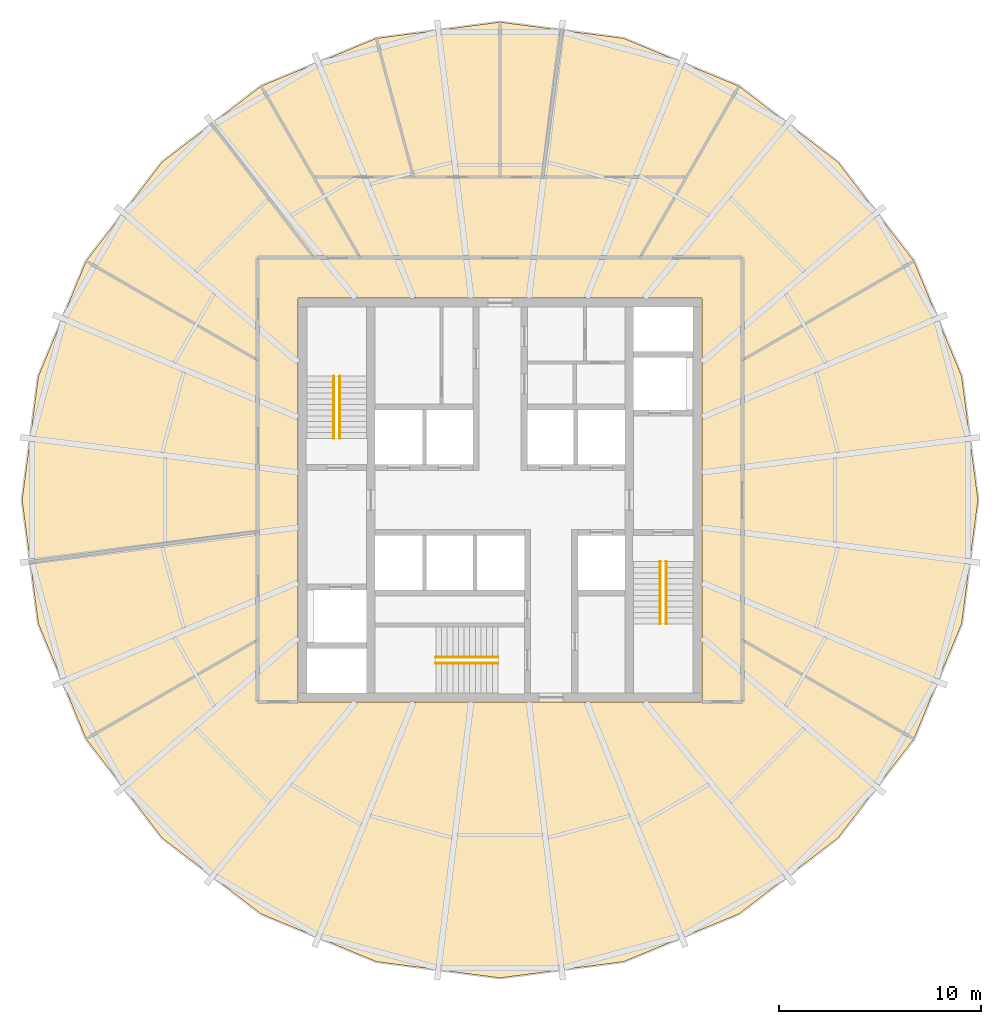
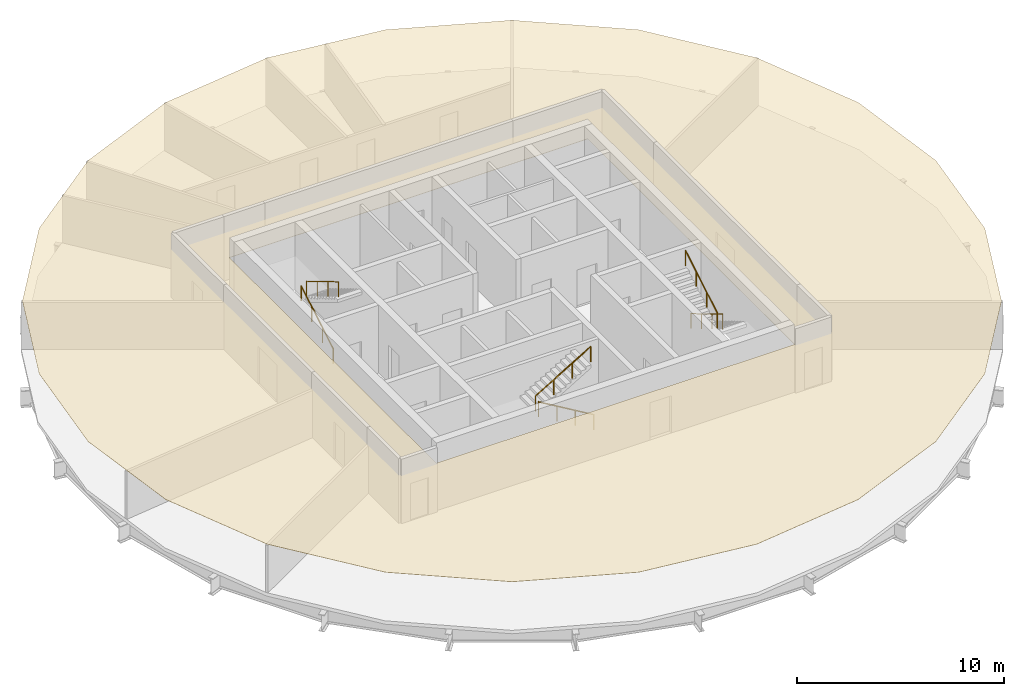
# One storey, part 5 of 5: 6 railings, 1 covering.
"""IFC4 building model written with IfcOpenShell, lengths in metres."""

from ifc_helpers import new_model, si_unit, direction, frame, origin, origin_2d, place, context, subcontext, project, spatial, polyline, circle, outline, extrude, material, layer, layer_set, type_object, element, save


model = new_model("IFC4")

# Units and contexts
model_context = context("Model", 3, precision=1e-05, world=origin(), true_north=direction((0.0, 1.0)))
body_context = subcontext(model_context, "Body", "Model", "MODEL_VIEW")
ifc_project = project(units=[si_unit("LENGTHUNIT", "METRE"), si_unit("AREAUNIT", "SQUARE_METRE"), si_unit("VOLUMEUNIT", "CUBIC_METRE"), si_unit("PLANEANGLEUNIT", "RADIAN"), si_unit("MASSUNIT", "GRAM", prefix="KILO")], contexts=[model_context])

# Site, building, storey
site_placement = place(None, origin())
site = spatial("IfcSite", under=ifc_project, at=site_placement, CompositionType="ELEMENT")
building_placement = place(site_placement, origin())
building = spatial("IfcBuilding", under=site, at=building_placement, Name="Golbaran Civic Tower", CompositionType="ELEMENT")
storey_placement = place(building_placement, frame((0.0, 0.0, 191.0)))
storey = spatial("IfcBuildingStorey", under=building, at=storey_placement, Name="L46", CompositionType="ELEMENT", Elevation=191.0)

# Railings
ifc_material_1 = material(Name="Stainless steel", Category="steel")
railing_type = type_object("IfcRailingType", Name="STAIR HANDRAIL 900", PredefinedType="HANDRAIL", material=ifc_material_1)
railing_1_placement = place(storey_placement, frame((-8.22509765625, 3.050048828125, 0.166748046875)))
element("IfcRailing", 1, at=railing_1_placement, inside=storey, type_object=railing_type, Name="Stair S1 handrail flight 1 L46", PredefinedType="HANDRAIL", context=body_context, shape_type="SweptSolid", body=[
    extrude(circle(Radius=0.02392578125, at=origin_2d()), frame((0.0, 0.0, 0.8759765625), z_axis=(0.0, 0.859290745958, 0.51148745235), x_axis=(-1.0, 0.0, 0.0)), (0.0, 0.0, 1.0), 3.584228515625),
    extrude(circle(Radius=0.02099609375, at=origin_2d()), origin(), (0.0, 0.0, 1.0), 0.851806640625),
    extrude(circle(Radius=0.02099609375, at=origin_2d()), frame((0.0, 1.026611328125, 0.611083984375)), (0.0, 0.0, 1.0), 0.851806640625),
    extrude(circle(Radius=0.02099609375, at=origin_2d()), frame((0.0, 2.05322265625, 1.22216796875)), (0.0, 0.0, 1.0), 0.851806640625),
    extrude(circle(Radius=0.02099609375, at=origin_2d()), frame((0.0, 3.079833984375, 1.833251953125)), (0.0, 0.0, 1.0), 0.851806640625),
])
for number, where, name in (
    (2, (-7.925048828125, 6.1298828125, 2.166748046875), "Stair S1 handrail flight 2 L46"),
    (3, (8.22509765625, -3.050048828125, 0.166748046875), "Stair S2 handrail flight 1 L46"),
):
    element("IfcRailing", number, at=place(storey_placement, frame(where)), inside=storey, type_object=railing_type, Name=name, PredefinedType="HANDRAIL", context=body_context, shape_type="SweptSolid", body=[
        extrude(circle(Radius=0.02392578125, at=origin_2d()), frame((0.0, 0.0, 0.8759765625), z_axis=(0.0, -0.859290745958, 0.51148745235), x_axis=(1.0, 0.0, 0.0)), (0.0, 0.0, 1.0), 3.584228515625),
        extrude(circle(Radius=0.02099609375, at=origin_2d()), origin(), (0.0, 0.0, 1.0), 0.851806640625),
        extrude(circle(Radius=0.02099609375, at=origin_2d()), frame((0.0, -1.026611328125, 0.611083984375)), (0.0, 0.0, 1.0), 0.851806640625),
        extrude(circle(Radius=0.02099609375, at=origin_2d()), frame((0.0, -2.05322265625, 1.22216796875)), (0.0, 0.0, 1.0), 0.851806640625),
        extrude(circle(Radius=0.02099609375, at=origin_2d()), frame((0.0, -3.079833984375, 1.833251953125)), (0.0, 0.0, 1.0), 0.851806640625),
    ])
railing_2_placement = place(storey_placement, frame((7.925048828125, -6.1298828125, 2.166748046875)))
element("IfcRailing", 4, at=railing_2_placement, inside=storey, type_object=railing_type, Name="Stair S2 handrail flight 2 L46", PredefinedType="HANDRAIL", context=body_context, shape_type="SweptSolid", body=[
    extrude(circle(Radius=0.02392578125, at=origin_2d()), frame((0.0, 0.0, 0.8759765625), z_axis=(0.0, 0.859290745958, 0.51148745235), x_axis=(-1.0, 0.0, 0.0)), (0.0, 0.0, 1.0), 3.584228515625),
    extrude(circle(Radius=0.02099609375, at=origin_2d()), origin(), (0.0, 0.0, 1.0), 0.851806640625),
    extrude(circle(Radius=0.02099609375, at=origin_2d()), frame((0.0, 1.026611328125, 0.611083984375)), (0.0, 0.0, 1.0), 0.851806640625),
    extrude(circle(Radius=0.02099609375, at=origin_2d()), frame((0.0, 2.05322265625, 1.22216796875)), (0.0, 0.0, 1.0), 0.851806640625),
    extrude(circle(Radius=0.02099609375, at=origin_2d()), frame((0.0, 3.079833984375, 1.833251953125)), (0.0, 0.0, 1.0), 0.851806640625),
])
railing_3_placement = place(storey_placement, frame((-0.10009765625, -8.074951171875, 0.166748046875)))
element("IfcRailing", 5, at=railing_3_placement, inside=storey, type_object=railing_type, Name="Stair S3 handrail flight 1 L46", PredefinedType="HANDRAIL", context=body_context, shape_type="SweptSolid", body=[
    extrude(circle(Radius=0.02392578125, at=origin_2d()), frame((0.0, 0.0, 0.8759765625), z_axis=(-0.859290745958, 0.0, 0.51148745235), x_axis=(0.0, -1.0, 0.0)), (0.0, 0.0, 1.0), 3.584228515625),
    extrude(circle(Radius=0.02099609375, at=origin_2d()), origin(), (0.0, 0.0, 1.0), 0.851806640625),
    extrude(circle(Radius=0.02099609375, at=origin_2d()), frame((-1.026611328125, 0.0, 0.611083984375)), (0.0, 0.0, 1.0), 0.851806640625),
    extrude(circle(Radius=0.02099609375, at=origin_2d()), frame((-2.05322265625, 0.0, 1.22216796875)), (0.0, 0.0, 1.0), 0.851806640625),
    extrude(circle(Radius=0.02099609375, at=origin_2d()), frame((-3.079833984375, 0.0, 1.833251953125)), (0.0, 0.0, 1.0), 0.851806640625),
])
railing_4_placement = place(storey_placement, frame((-3.179931640625, -7.77490234375, 2.166748046875)))
element("IfcRailing", 6, at=railing_4_placement, inside=storey, type_object=railing_type, Name="Stair S3 handrail flight 2 L46", PredefinedType="HANDRAIL", context=body_context, shape_type="SweptSolid", body=[
    extrude(circle(Radius=0.02392578125, at=origin_2d()), frame((0.0, 0.0, 0.8759765625), z_axis=(0.859290745958, 0.0, 0.51148745235), x_axis=(0.0, 1.0, 0.0)), (0.0, 0.0, 1.0), 3.584228515625),
    extrude(circle(Radius=0.02099609375, at=origin_2d()), origin(), (0.0, 0.0, 1.0), 0.851806640625),
    extrude(circle(Radius=0.02099609375, at=origin_2d()), frame((1.026611328125, 0.0, 0.611083984375)), (0.0, 0.0, 1.0), 0.851806640625),
    extrude(circle(Radius=0.02099609375, at=origin_2d()), frame((2.05322265625, 0.0, 1.22216796875)), (0.0, 0.0, 1.0), 0.851806640625),
    extrude(circle(Radius=0.02099609375, at=origin_2d()), frame((3.079833984375, 0.0, 1.833251953125)), (0.0, 0.0, 1.0), 0.851806640625),
])

# Covering
ifc_material_2 = material(Name="Mineral fibre tile on steel grid", Category="steel")
ifc_layer = layer(ifc_material_2, 0.02001953125, Name="Mineral fibre tile on steel grid")
ifc_layer_set = layer_set([ifc_layer], Name="Mineral fibre tile on steel grid")
covering_type = type_object("IfcCoveringType", Name="SUSPENDED CEILING 600 TILE 20", PredefinedType="CEILING", material=ifc_layer_set)
covering_placement = place(storey_placement, frame((0.0, 0.0, 2.800048828125)))
element("IfcCovering", 7, at=covering_placement, inside=storey, type_object=covering_type, Name="Suspended ceiling L46", PredefinedType="CEILING", context=body_context, shape_type="SweptSolid", body=[
    extrude(outline(polyline([(-23.662109375, 0.0), (-22.855712890625, 6.124267578125), (-20.491943359375, 11.8310546875), (-16.7314453125, 16.7314453125), (-14.400390625, 18.5205078125), (-11.8310546875, 20.491943359375), (-6.124267578125, 22.855712890625), (0.0, 23.662109375), (6.124267578125, 22.855712890625), (11.8310546875, 20.491943359375), (16.7314453125, 16.7314453125), (20.491943359375, 11.8310546875), (22.855712890625, 6.124267578125), (23.662109375, 0.0), (22.855712890625, -6.124267578125), (20.491943359375, -11.8310546875), (16.7314453125, -16.7314453125), (11.8310546875, -20.491943359375), (6.124267578125, -22.855712890625), (0.0, -23.662109375), (-6.124267578125, -22.855712890625), (-11.8310546875, -20.491943359375), (-16.7314453125, -16.7314453125), (-20.491943359375, -11.8310546875), (-22.855712890625, -6.124267578125), (-23.662109375, 0.0)]), holes=[polyline([(-10.0, -10.0), (10.0, -10.0), (10.0, 10.0), (-10.0, 10.0), (-10.0, -10.0)])]), origin(), (0.0, 0.0, 1.0), 0.02001953125),
])

save(model, "model.ifc")
